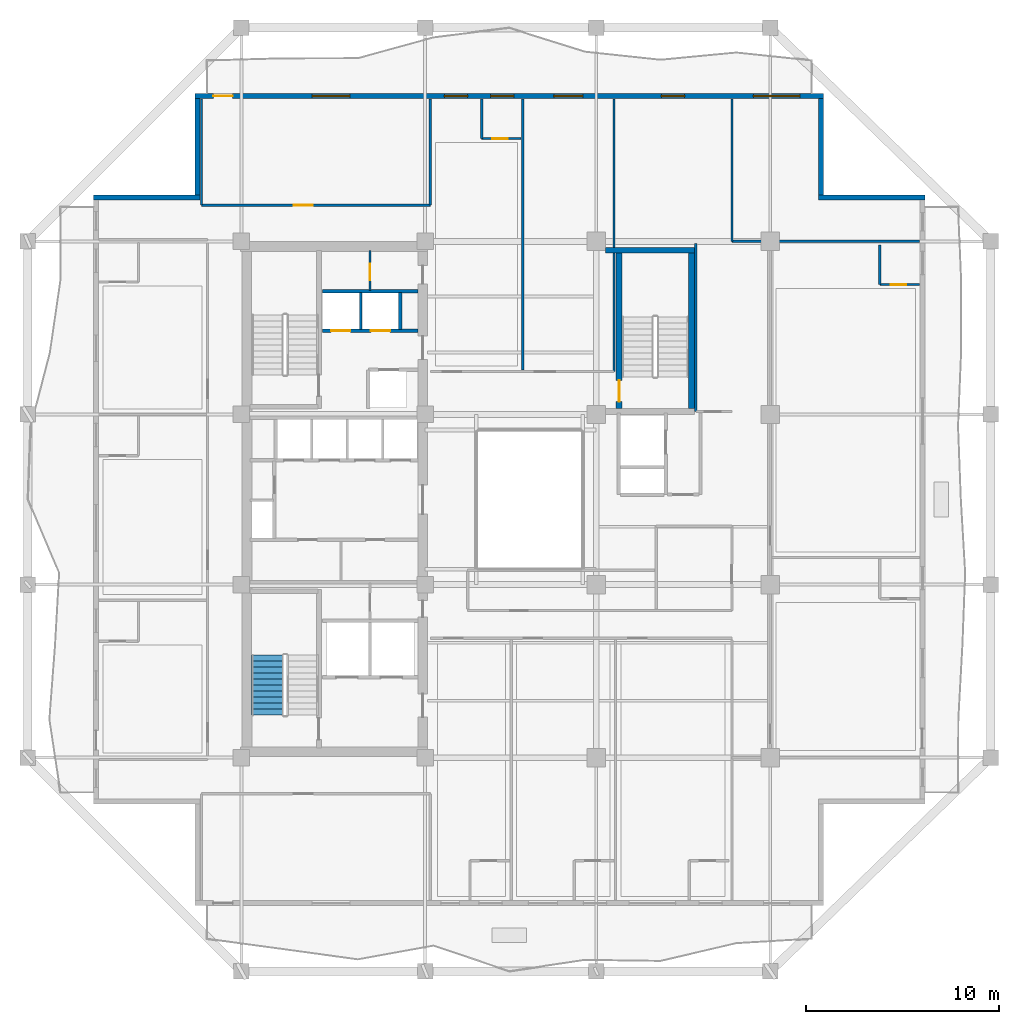
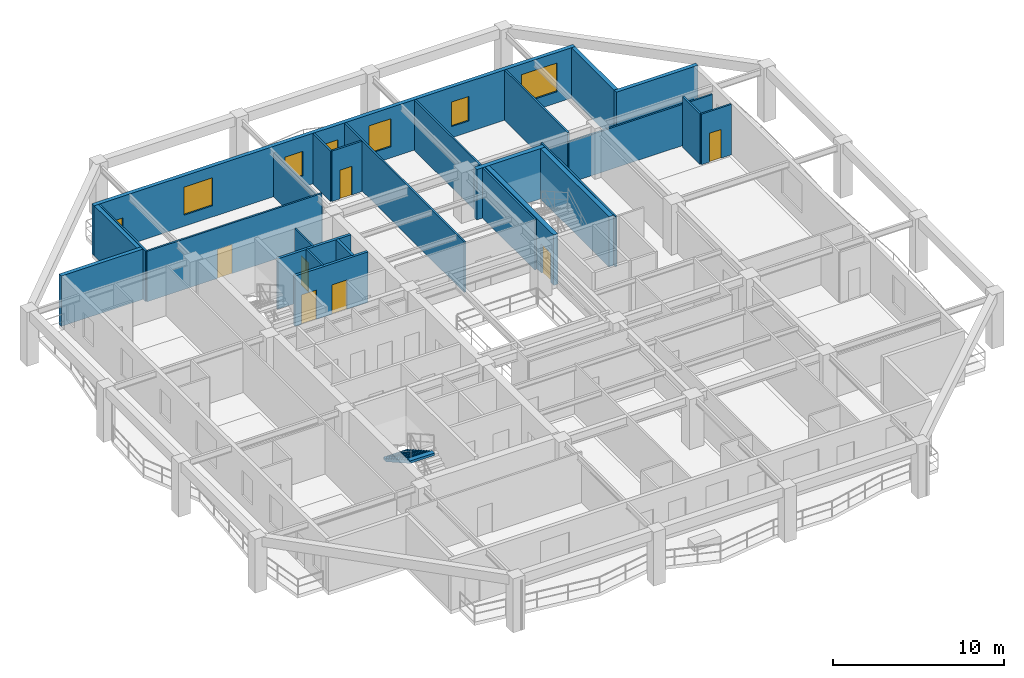
# One storey, part 6 of 13: 25 walls, 8 doors, 6 windows, 1 stair flight, 14 openings, 1 element without a shape of its own.
"""IFC4 building model written with IfcOpenShell, lengths in metres."""

from ifc_helpers import new_model, si_unit, direction, frame, frame_2d, origin, place, context, subcontext, project, spatial, polyline, rectangle, outline, extrude, material, layer, layer_set, type_object, element, fill, aggregate, save


model = new_model("IFC4")

# Units and contexts
model_context = context("Model", 3, precision=1e-05, world=origin(), true_north=direction((0.0, 1.0)))
body_context = subcontext(model_context, "Body", "Model", "MODEL_VIEW")
ifc_project = project(units=[si_unit("LENGTHUNIT", "METRE"), si_unit("AREAUNIT", "SQUARE_METRE"), si_unit("VOLUMEUNIT", "CUBIC_METRE"), si_unit("PLANEANGLEUNIT", "RADIAN"), si_unit("MASSUNIT", "GRAM", prefix="KILO")], contexts=[model_context])

# Site, building, storey
site_placement = place(None, origin())
site = spatial("IfcSite", under=ifc_project, at=site_placement, CompositionType="ELEMENT")
building_placement = place(site_placement, origin())
building = spatial("IfcBuilding", under=site, at=building_placement, Name="Kundavana Baori Tower", CompositionType="ELEMENT")
storey_placement = place(building_placement, frame((0.0, 0.0, 177.14990234375)))
storey = spatial("IfcBuildingStorey", under=building, at=storey_placement, Name="L43", CompositionType="ELEMENT", Elevation=177.14990234375)

# Walls
ifc_material_1 = material(Name="Kiln-Fired Terracotta Brick-Slip Masonry on Concrete C40/50", Category="masonry")
ifc_layer_1 = layer(ifc_material_1, 0.260009765625, Name="WL-EXT-BRK-260")
ifc_layer_set_1 = layer_set([ifc_layer_1], Name="Kiln-Fired Terracotta Brick-Slip Masonry on Concrete C40/50")
wall_type_1 = type_object("IfcWallType", Name="WL-EXT-BRK-260", PredefinedType="SOLIDWALL", material=ifc_layer_set_1)
wall_1_placement = place(storey_placement, frame((50.800048828125, 44.219970703125, 0.0), z_axis=(0.0, 0.0, 1.0), x_axis=(-1.0, 0.0, 0.0)))
element("IfcWall", 1, at=wall_1_placement, inside=storey, type_object=wall_type_1, Name="L43 Exterior Insulated Facade Wall 05", PredefinedType="SOLIDWALL", context=body_context, shape_type="SweptSolid", body=[
    extrude(rectangle(XDim=5.510009765625, YDim=0.260009765625, at=frame_2d((2.7548828125, 0.0))), origin(), (0.0, 0.0, 1.0), 3.60009765625),
])
wall_2_placement = place(storey_placement, frame((45.419921875, 44.35009765625, 0.0), z_axis=(0.0, 0.0, 1.0), x_axis=(0.0, 1.0, 0.0)))
element("IfcWall", 2, at=wall_2_placement, inside=storey, type_object=wall_type_1, Name="L43 Exterior Insulated Facade Wall 06", PredefinedType="SOLIDWALL", context=body_context, shape_type="SweptSolid", body=[
    extrude(rectangle(XDim=4.989990234375, YDim=0.260009765625, at=frame_2d((2.4951171875, 0.0))), origin(), (0.0, 0.0, 1.0), 3.60009765625),
])

# Wall, openings, door, windows
wall_3_placement = place(storey_placement, frame((45.550048828125, 49.469970703125, 0.0), z_axis=(0.0, 0.0, 1.0), x_axis=(-1.0, 0.0, 0.0)))
wall_3 = element("IfcWall", 3, at=wall_3_placement, inside=storey, type_object=wall_type_1, Name="L43 Exterior Insulated Facade Wall 07", PredefinedType="SOLIDWALL", context=body_context, shape_type="SweptSolid", body=[
    extrude(rectangle(XDim=32.5, YDim=0.260009765625, at=frame_2d((16.25, 0.0))), origin(), (0.0, 0.0, 1.0), 3.60009765625),
])
opening_1_placement = place(wall_3_placement, frame((30.550048828125, 0.0, 0.0)))
opening_1 = element("IfcOpeningElement", 4, at=opening_1_placement, cuts=wall_3, Name="Opening BD-1", PredefinedType="OPENING", context=body_context, shape_type="SweptSolid", body=[
    extrude(rectangle(XDim=1.0, YDim=2.050048828125, at=frame_2d((0.5, 1.02490234375))), frame((0.0, 0.14013671875, 0.0), z_axis=(0.0, -1.0, 0.0), x_axis=(1.0, 0.0, 0.0)), (0.0, 0.0, 1.0), 0.280029296875),
])
opening_2_placement = place(wall_3_placement, frame((24.4951171875, 0.0, 0.800048828125)))
opening_2 = element("IfcOpeningElement", 5, at=opening_2_placement, cuts=wall_3, Name="Opening W-09", PredefinedType="OPENING", context=body_context, shape_type="SweptSolid", body=[
    extrude(rectangle(XDim=1.949951171875, YDim=2.0, at=frame_2d((0.97509765625, 1.0))), frame((0.0, 0.14013671875, 0.0), z_axis=(0.0, -1.0, 0.0), x_axis=(1.0, 0.0, 0.0)), (0.0, 0.0, 1.0), 0.280029296875),
])
opening_3_placement = place(wall_3_placement, frame((18.405029296875, 0.0, 0.800048828125)))
opening_3 = element("IfcOpeningElement", 6, at=opening_3_placement, cuts=wall_3, Name="Opening W-03", PredefinedType="OPENING", context=body_context, shape_type="SweptSolid", body=[
    extrude(rectangle(XDim=1.199951171875, YDim=1.75, at=frame_2d((0.60009765625, 0.875))), frame((0.0, 0.14013671875, 0.0), z_axis=(0.0, -1.0, 0.0), x_axis=(1.0, 0.0, 0.0)), (0.0, 0.0, 1.0), 0.280029296875),
])
opening_4_placement = place(wall_3_placement, frame((16.014892578125, 0.0, 0.800048828125)))
opening_4 = element("IfcOpeningElement", 7, at=opening_4_placement, cuts=wall_3, Name="Opening W-03", PredefinedType="OPENING", context=body_context, shape_type="SweptSolid", body=[
    extrude(rectangle(XDim=1.199951171875, YDim=1.75, at=frame_2d((0.60009765625, 0.875))), frame((0.0, 0.14013671875, 0.0), z_axis=(0.0, -1.0, 0.0), x_axis=(1.0, 0.0, 0.0)), (0.0, 0.0, 1.0), 0.280029296875),
])
opening_5_placement = place(wall_3_placement, frame((12.43994140625, 0.0, 0.800048828125)))
opening_5 = element("IfcOpeningElement", 8, at=opening_5_placement, cuts=wall_3, Name="Opening W-02", PredefinedType="OPENING", context=body_context, shape_type="SweptSolid", body=[
    extrude(rectangle(XDim=1.5, YDim=2.0, at=frame_2d((0.75, 1.0))), frame((0.0, 0.14013671875, 0.0), z_axis=(0.0, -1.0, 0.0), x_axis=(1.0, 0.0, 0.0)), (0.0, 0.0, 1.0), 0.280029296875),
])
opening_6_placement = place(wall_3_placement, frame((7.179931640625, 0.0, 0.800048828125)))
opening_6 = element("IfcOpeningElement", 9, at=opening_6_placement, cuts=wall_3, Name="Opening W-03", PredefinedType="OPENING", context=body_context, shape_type="SweptSolid", body=[
    extrude(rectangle(XDim=1.199951171875, YDim=1.75, at=frame_2d((0.60009765625, 0.875))), frame((0.0, 0.14013671875, 0.0), z_axis=(0.0, -1.0, 0.0), x_axis=(1.0, 0.0, 0.0)), (0.0, 0.0, 1.0), 0.280029296875),
])
opening_7_placement = place(wall_3_placement, frame((1.219970703125, 0.0, 0.800048828125)))
opening_7 = element("IfcOpeningElement", 10, at=opening_7_placement, cuts=wall_3, Name="Opening W-04", PredefinedType="OPENING", context=body_context, shape_type="SweptSolid", body=[
    extrude(rectangle(XDim=2.39990234375, YDim=2.050048828125, at=frame_2d((1.199951171875, 1.02490234375))), frame((0.0, 0.14013671875, 0.0), z_axis=(0.0, -1.0, 0.0), x_axis=(1.0, 0.0, 0.0)), (0.0, 0.0, 1.0), 0.280029296875),
])
ifc_material_2 = material(Name="Architectural Patinated Bronze Metalwork")
door_type_1 = type_object("IfcDoorType", Name="DR-EXT-LOG-1000", OperationType="NOTDEFINED", PredefinedType="DOOR", material=ifc_material_2)
door_1_placement = place(opening_1_placement, frame((1.0, 0.0, 0.0), z_axis=(0.0, 0.0, 1.0), x_axis=(-1.0, 0.0, 0.0)))
door_1 = element("IfcDoor", 11, at=door_1_placement, inside=storey, type_object=door_type_1, Name="L43 Loggia Balcony Access Door N", OperationType="SINGLE_SWING_LEFT", OverallHeight=2.050048828125, OverallWidth=1.0, PredefinedType="DOOR", context=body_context, shape_type="SweptSolid", body=[
    extrude(rectangle(XDim=1.0, YDim=2.050048828125, at=frame_2d((0.5, 1.02490234375))), frame((0.0, 0.02490234375, 0.0), z_axis=(0.0, -1.0, 0.0), x_axis=(1.0, 0.0, 0.0)), (0.0, 0.0, 1.0), 0.050048828125),
])
fill(opening_1, door_1)
ifc_material_3 = material(Name="Double-Glazed Solar-Control Low-E Insulated Glass", Category="glass")
window_type_1 = type_object("IfcWindowType", Name="WIN-LOG-1200x1750", PartitioningType="SINGLE_PANEL", PredefinedType="WINDOW", material=ifc_material_3)
window_1_placement = place(opening_3_placement, origin())
window_1 = element("IfcWindow", 12, at=window_1_placement, inside=storey, type_object=window_type_1, Name="L43 Recessed Loggia Window N-2", OverallHeight=1.75, OverallWidth=1.199951171875, PartitioningType="SINGLE_PANEL", PredefinedType="WINDOW", context=body_context, shape_type="SweptSolid", body=[
    extrude(rectangle(XDim=1.199951171875, YDim=1.75, at=frame_2d((0.60009765625, 0.875))), frame((0.0, 0.030029296875, 0.0), z_axis=(0.0, -1.0, 0.0), x_axis=(1.0, 0.0, 0.0)), (0.0, 0.0, 1.0), 0.06005859375),
])
fill(opening_3, window_1)
window_2_placement = place(opening_4_placement, origin())
window_2 = element("IfcWindow", 13, at=window_2_placement, inside=storey, type_object=window_type_1, Name="L43 Recessed Loggia Window N-3", OverallHeight=1.75, OverallWidth=1.199951171875, PartitioningType="SINGLE_PANEL", PredefinedType="WINDOW", context=body_context, shape_type="SweptSolid", body=[
    extrude(rectangle(XDim=1.199951171875, YDim=1.75, at=frame_2d((0.60009765625, 0.875))), frame((0.0, 0.030029296875, 0.0), z_axis=(0.0, -1.0, 0.0), x_axis=(1.0, 0.0, 0.0)), (0.0, 0.0, 1.0), 0.06005859375),
])
fill(opening_4, window_2)
window_3_placement = place(opening_6_placement, origin())
window_3 = element("IfcWindow", 14, at=window_3_placement, inside=storey, type_object=window_type_1, Name="L43 Recessed Loggia Window N-5", OverallHeight=1.75, OverallWidth=1.199951171875, PartitioningType="SINGLE_PANEL", PredefinedType="WINDOW", context=body_context, shape_type="SweptSolid", body=[
    extrude(rectangle(XDim=1.199951171875, YDim=1.75, at=frame_2d((0.60009765625, 0.875))), frame((0.0, 0.030029296875, 0.0), z_axis=(0.0, -1.0, 0.0), x_axis=(1.0, 0.0, 0.0)), (0.0, 0.0, 1.0), 0.06005859375),
])
fill(opening_6, window_3)
ifc_material_4 = material(Name="Double-Glazed Solar-Control Low-E Insulated Glass", Category="glass")
window_type_2 = type_object("IfcWindowType", Name="WIN-LOG-1500x2000", PartitioningType="SINGLE_PANEL", PredefinedType="WINDOW", material=ifc_material_4)
window_4_placement = place(opening_5_placement, origin())
window_4 = element("IfcWindow", 15, at=window_4_placement, inside=storey, type_object=window_type_2, Name="L43 Recessed Loggia Window N-4", OverallHeight=2.0, OverallWidth=1.5, PartitioningType="SINGLE_PANEL", PredefinedType="WINDOW", context=body_context, shape_type="SweptSolid", body=[
    extrude(rectangle(XDim=1.5, YDim=2.0, at=frame_2d((0.75, 1.0))), frame((0.0, 0.030029296875, 0.0), z_axis=(0.0, -1.0, 0.0), x_axis=(1.0, 0.0, 0.0)), (0.0, 0.0, 1.0), 0.06005859375),
])
fill(opening_5, window_4)
ifc_material_5 = material(Name="Double-Glazed Solar-Control Low-E Insulated Glass", Category="glass")
window_type_3 = type_object("IfcWindowType", Name="WIN-LOG-1950x2000", PartitioningType="SINGLE_PANEL", PredefinedType="WINDOW", material=ifc_material_5)
window_5_placement = place(opening_2_placement, origin())
window_5 = element("IfcWindow", 16, at=window_5_placement, inside=storey, type_object=window_type_3, Name="L43 Recessed Loggia Window N-1", OverallHeight=2.0, OverallWidth=1.949951171875, PartitioningType="SINGLE_PANEL", PredefinedType="WINDOW", context=body_context, shape_type="SweptSolid", body=[
    extrude(rectangle(XDim=1.949951171875, YDim=2.0, at=frame_2d((0.97509765625, 1.0))), frame((0.0, 0.030029296875, 0.0), z_axis=(0.0, -1.0, 0.0), x_axis=(1.0, 0.0, 0.0)), (0.0, 0.0, 1.0), 0.06005859375),
])
fill(opening_2, window_5)
ifc_material_6 = material(Name="Double-Glazed Solar-Control Low-E Insulated Glass", Category="glass")
window_type_4 = type_object("IfcWindowType", Name="WIN-LOG-2400x2050", PartitioningType="SINGLE_PANEL", PredefinedType="WINDOW", material=ifc_material_6)
window_6_placement = place(opening_7_placement, origin())
window_6 = element("IfcWindow", 17, at=window_6_placement, inside=storey, type_object=window_type_4, Name="L43 Recessed Loggia Window N-6", OverallHeight=2.050048828125, OverallWidth=2.39990234375, PartitioningType="SINGLE_PANEL", PredefinedType="WINDOW", context=body_context, shape_type="SweptSolid", body=[
    extrude(rectangle(XDim=2.39990234375, YDim=2.050048828125, at=frame_2d((1.199951171875, 1.02490234375))), frame((0.0, 0.030029296875, 0.0), z_axis=(0.0, -1.0, 0.0), x_axis=(1.0, 0.0, 0.0)), (0.0, 0.0, 1.0), 0.06005859375),
])
fill(opening_7, window_6)

# Walls
wall_4_placement = place(storey_placement, frame((13.179931640625, 49.340087890625, 0.0), z_axis=(0.0, 0.0, 1.0), x_axis=(0.0, -1.0, 0.0)))
element("IfcWall", 18, at=wall_4_placement, inside=storey, type_object=wall_type_1, Name="L43 Exterior Insulated Facade Wall 08", PredefinedType="SOLIDWALL", context=body_context, shape_type="SweptSolid", body=[
    extrude(rectangle(XDim=4.989990234375, YDim=0.260009765625, at=frame_2d((2.4951171875, 0.0))), origin(), (0.0, 0.0, 1.0), 3.60009765625),
])
wall_5_placement = place(storey_placement, frame((13.31005859375, 44.219970703125, 0.0), z_axis=(0.0, 0.0, 1.0), x_axis=(-1.0, 0.0, 0.0)))
element("IfcWall", 19, at=wall_5_placement, inside=storey, type_object=wall_type_1, Name="L43 Exterior Insulated Facade Wall 09", PredefinedType="SOLIDWALL", context=body_context, shape_type="SweptSolid", body=[
    extrude(rectangle(XDim=5.510009765625, YDim=0.260009765625, at=frame_2d((2.7548828125, 0.0))), origin(), (0.0, 0.0, 1.0), 3.60009765625),
])
ifc_material_7 = material(Name="Acoustic Gypsum Plasterboard on Galvanised Steel Studs", Category="steel")
ifc_layer_2 = layer(ifc_material_7, 0.1201171875, Name="WL-PART-120")
ifc_layer_set_2 = layer_set([ifc_layer_2], Name="Acoustic Gypsum Plasterboard on Galvanised Steel Studs")
wall_type_2 = type_object("IfcWallType", Name="WL-PART-120", PredefinedType="PARTITIONING", material=ifc_layer_set_2)
wall_6_placement = place(storey_placement, frame((21.6201171875, 37.39990234375, 0.0), z_axis=(0.0, 0.0, 1.0), x_axis=(0.0, 1.0, 0.0)))
element("IfcWall", 20, at=wall_6_placement, inside=storey, type_object=wall_type_2, Name="WL-L43-HR-DIV1", PredefinedType="PARTITIONING", context=body_context, shape_type="SweptSolid", body=[
    extrude(rectangle(XDim=1.900146484375, YDim=0.1201171875, at=frame_2d((0.9501953125, 0.0))), origin(), (0.0, 0.0, 1.0), 3.60009765625),
])

# Wall, opening, door
wall_7_placement = place(storey_placement, frame((22.10009765625, 39.39990234375, 0.0), z_axis=(0.0, 0.0, 1.0), x_axis=(0.0, 1.0, 0.0)))
wall_7 = element("IfcWall", 21, at=wall_7_placement, inside=storey, type_object=wall_type_2, Name="WL-L43-CSRV-D1", PredefinedType="PARTITIONING", context=body_context, shape_type="SweptSolid", body=[
    extrude(rectangle(XDim=2.080078125, YDim=0.1201171875, at=frame_2d((1.0400390625, 0.0))), origin(), (0.0, 0.0, 1.0), 3.60009765625),
])
opening_8_placement = place(wall_7_placement, frame((0.550048828125, 0.0, 0.0)))
opening_8 = element("IfcOpeningElement", 22, at=opening_8_placement, cuts=wall_7, Name="Opening FD-085", PredefinedType="OPENING", context=body_context, shape_type="SweptSolid", body=[
    extrude(rectangle(XDim=0.85009765625, YDim=2.06005859375, at=frame_2d((0.425048828125, 1.030029296875))), frame((0.0, 0.070068359375, 0.0), z_axis=(0.0, -1.0, 0.0), x_axis=(1.0, 0.0, 0.0)), (0.0, 0.0, 1.0), 0.14013671875),
])
ifc_material_8 = material(Name="Galvanised Steel Fire-Rated Door Leaf", Category="steel")
door_type_2 = type_object("IfcDoorType", Name="DR-FD60-850", OperationType="NOTDEFINED", PredefinedType="DOOR", material=ifc_material_8)
door_2_placement = place(opening_8_placement, origin())
door_2 = element("IfcDoor", 23, at=door_2_placement, inside=storey, type_object=door_type_2, Name="DR-L43-CSRV1", OperationType="SINGLE_SWING_LEFT", OverallHeight=2.06005859375, OverallWidth=0.85009765625, PredefinedType="DOOR", context=body_context, shape_type="SweptSolid", body=[
    extrude(rectangle(XDim=0.85009765625, YDim=2.06005859375, at=frame_2d((0.425048828125, 1.030029296875))), frame((0.0, 0.02490234375, 0.0), z_axis=(0.0, -1.0, 0.0), x_axis=(1.0, 0.0, 0.0)), (0.0, 0.0, 1.0), 0.050048828125),
])
fill(opening_8, door_2)

# Wall
wall_8_placement = place(storey_placement, frame((40.820068359375, 41.949951171875, 0.0), z_axis=(0.0, 0.0, 1.0), x_axis=(1.0, 0.0, 0.0)))
element("IfcWall", 24, at=wall_8_placement, inside=storey, type_object=wall_type_2, Name="WL-L43-HEN", PredefinedType="PARTITIONING", context=body_context, shape_type="SweptSolid", body=[
    extrude(rectangle(XDim=9.699951171875, YDim=0.1201171875, at=frame_2d((4.85009765625, 0.0))), origin(), (0.0, 0.0, 1.0), 2.9501953125),
])

# Wall, opening, door
wall_9_placement = place(storey_placement, frame((13.389892578125, 43.820068359375, 0.0), z_axis=(0.0, 0.0, 1.0), x_axis=(1.0, 0.0, 0.0)))
wall_9 = element("IfcWall", 25, at=wall_9_placement, inside=storey, type_object=wall_type_2, Name="WL-L43-HNC", PredefinedType="PARTITIONING", context=body_context, shape_type="SweptSolid", body=[
    extrude(rectangle(XDim=11.830078125, YDim=0.1201171875, at=frame_2d((5.9150390625, 0.0))), origin(), (0.0, 0.0, 1.0), 3.60009765625),
])
opening_9_placement = place(wall_9_placement, frame((4.760009765625, 0.0, 0.0)))
opening_9 = element("IfcOpeningElement", 26, at=opening_9_placement, cuts=wall_9, Name="Opening ID-100", PredefinedType="OPENING", context=body_context, shape_type="SweptSolid", body=[
    extrude(rectangle(XDim=1.0, YDim=2.080078125, at=frame_2d((0.5, 1.0400390625))), frame((0.0, 0.070068359375, 0.0), z_axis=(0.0, -1.0, 0.0), x_axis=(1.0, 0.0, 0.0)), (0.0, 0.0, 1.0), 0.14013671875),
])
ifc_material_9 = material(Name="Engineered Teak Solid-Core Timber Veneer", Category="wood")
door_type_3 = type_object("IfcDoorType", Name="DR-INT-1000", OperationType="NOTDEFINED", PredefinedType="DOOR", material=ifc_material_9)
door_3_placement = place(opening_9_placement, origin())
door_3 = element("IfcDoor", 27, at=door_3_placement, inside=storey, type_object=door_type_3, Name="DR-L43-HMNW", OperationType="SINGLE_SWING_RIGHT", OverallHeight=2.080078125, OverallWidth=1.0, PredefinedType="DOOR", context=body_context, shape_type="SweptSolid", body=[
    extrude(rectangle(XDim=1.0, YDim=2.080078125, at=frame_2d((0.5, 1.0400390625))), frame((0.0, 0.02490234375, 0.0), z_axis=(0.0, -1.0, 0.0), x_axis=(1.0, 0.0, 0.0)), (0.0, 0.0, 1.0), 0.050048828125),
])
fill(opening_9, door_3)

# Walls
wall_10_placement = place(storey_placement, frame((13.389892578125, 43.820068359375, 0.0), z_axis=(0.0, 0.0, 1.0), x_axis=(0.0, 1.0, 0.0)))
element("IfcWall", 28, at=wall_10_placement, inside=storey, type_object=wall_type_2, Name="WL-L43-HNCW", PredefinedType="PARTITIONING", context=body_context, shape_type="SweptSolid", body=[
    extrude(rectangle(XDim=5.5, YDim=0.1201171875, at=frame_2d((2.75, 0.0))), origin(), (0.0, 0.0, 1.0), 3.60009765625),
])
wall_11_placement = place(storey_placement, frame((25.219970703125, 43.820068359375, 0.0), z_axis=(0.0, 0.0, 1.0), x_axis=(0.0, 1.0, 0.0)))
element("IfcWall", 29, at=wall_11_placement, inside=storey, type_object=wall_type_2, Name="WL-L43-HNCE", PredefinedType="PARTITIONING", context=body_context, shape_type="SweptSolid", body=[
    extrude(rectangle(XDim=5.5, YDim=0.1201171875, at=frame_2d((2.75, 0.0))), origin(), (0.0, 0.0, 1.0), 3.150146484375),
])
wall_12_placement = place(storey_placement, frame((34.719970703125, 35.219970703125, 0.0), z_axis=(0.0, 0.0, 1.0), x_axis=(0.0, 1.0, 0.0)))
element("IfcWall", 30, at=wall_12_placement, inside=storey, type_object=wall_type_2, Name="WL-L43-HNEND", PredefinedType="PARTITIONING", context=body_context, shape_type="SweptSolid", body=[
    extrude(rectangle(XDim=14.10009765625, YDim=0.1201171875, at=frame_2d((7.050048828125, 0.0))), origin(), (0.0, 0.0, 1.0), 3.60009765625),
])
wall_13_placement = place(storey_placement, frame((30.0, 35.300048828125, 0.0), z_axis=(0.0, 0.0, 1.0), x_axis=(0.0, 1.0, 0.0)))
element("IfcWall", 31, at=wall_13_placement, inside=storey, type_object=wall_type_2, Name="WL-L43-HND1", PredefinedType="PARTITIONING", context=body_context, shape_type="SweptSolid", body=[
    extrude(rectangle(XDim=14.02001953125, YDim=0.1201171875, at=frame_2d((7.010009765625, 0.0))), origin(), (0.0, 0.0, 1.0), 3.60009765625),
])
wall_14_placement = place(storey_placement, frame((38.949951171875, 33.14990234375, 0.0), z_axis=(0.0, 0.0, 1.0), x_axis=(0.0, 1.0, 0.0)))
element("IfcWall", 32, at=wall_14_placement, inside=storey, type_object=wall_type_2, Name="WL-L43-HNEW", PredefinedType="PARTITIONING", context=body_context, shape_type="SweptSolid", body=[
    extrude(rectangle(XDim=8.7001953125, YDim=0.1201171875, at=frame_2d((4.35009765625, 0.0))), origin(), (0.0, 0.0, 1.0), 3.60009765625),
])
wall_15_placement = place(storey_placement, frame((40.820068359375, 41.949951171875, 0.0), z_axis=(0.0, 0.0, 1.0), x_axis=(0.0, 1.0, 0.0)))
element("IfcWall", 33, at=wall_15_placement, inside=storey, type_object=wall_type_2, Name="WL-L43-HNEE", PredefinedType="PARTITIONING", context=body_context, shape_type="SweptSolid", body=[
    extrude(rectangle(XDim=7.3701171875, YDim=0.1201171875, at=frame_2d((3.68505859375, 0.0))), origin(), (0.0, 0.0, 1.0), 3.60009765625),
])

# Wall, openings, doors
ifc_material_10 = material(Name="Autoclaved Aerated Concrete Blockwork Masonry", Category="masonry")
ifc_layer_3 = layer(ifc_material_10, 0.179931640625, Name="WL-SHAFT-180")
ifc_layer_set_3 = layer_set([ifc_layer_3], Name="Autoclaved Aerated Concrete Blockwork Masonry")
wall_type_3 = type_object("IfcWallType", Name="WL-SHAFT-180", PredefinedType="SOLIDWALL", material=ifc_layer_set_3)
wall_16_placement = place(storey_placement, frame((19.639892578125, 37.340087890625, 0.0), z_axis=(0.0, 0.0, 1.0), x_axis=(1.0, 0.0, 0.0)))
wall_16 = element("IfcWall", 34, at=wall_16_placement, inside=storey, type_object=wall_type_3, Name="WL-L43-HRLOB-N", PredefinedType="SOLIDWALL", context=body_context, shape_type="SweptSolid", body=[
    extrude(rectangle(XDim=4.940185546875, YDim=0.179931640625, at=frame_2d((2.47021484375, 0.0))), origin(), (0.0, 0.0, 1.0), 3.60009765625),
])
opening_10_placement = place(wall_16_placement, frame((0.449951171875, 0.0, 0.0)))
opening_10 = element("IfcOpeningElement", 35, at=opening_10_placement, cuts=wall_16, Name="Opening LD-100", PredefinedType="OPENING", context=body_context, shape_type="SweptSolid", body=[
    extrude(rectangle(XDim=1.0, YDim=2.10009765625, at=frame_2d((0.5, 1.050048828125))), frame((0.0, 0.10009765625, 0.0), z_axis=(0.0, -1.0, 0.0), x_axis=(1.0, 0.0, 0.0)), (0.0, 0.0, 1.0), 0.199951171875),
])
opening_11_placement = place(wall_16_placement, frame((2.5, 0.0, 0.0)))
opening_11 = element("IfcOpeningElement", 36, at=opening_11_placement, cuts=wall_16, Name="Opening LD-100", PredefinedType="OPENING", context=body_context, shape_type="SweptSolid", body=[
    extrude(rectangle(XDim=1.0, YDim=2.10009765625, at=frame_2d((0.5, 1.050048828125))), frame((0.0, 0.10009765625, 0.0), z_axis=(0.0, -1.0, 0.0), x_axis=(1.0, 0.0, 0.0)), (0.0, 0.0, 1.0), 0.199951171875),
])
ifc_material_11 = material(Name="Galvanised Steel Fire-Rated Door Leaf", Category="steel")
door_type_4 = type_object("IfcDoorType", Name="DR-SLIDE-LD1000", OperationType="NOTDEFINED", PredefinedType="DOOR", material=ifc_material_11)
door_4_placement = place(opening_10_placement, frame((1.0, 0.0, 0.0), z_axis=(0.0, 0.0, 1.0), x_axis=(-1.0, 0.0, 0.0)))
door_4 = element("IfcDoor", 37, at=door_4_placement, inside=storey, type_object=door_type_4, Name="DR-L43-LD-LP09", OperationType="DOUBLE_DOOR_SLIDING", OverallHeight=2.10009765625, OverallWidth=1.0, PredefinedType="DOOR", context=body_context, shape_type="SweptSolid", body=[
    extrude(rectangle(XDim=1.0, YDim=2.10009765625, at=frame_2d((0.5, 1.050048828125))), frame((0.0, 0.02490234375, 0.0), z_axis=(0.0, -1.0, 0.0), x_axis=(1.0, 0.0, 0.0)), (0.0, 0.0, 1.0), 0.050048828125),
])
fill(opening_10, door_4)
door_5_placement = place(opening_11_placement, frame((1.0, 0.0, 0.0), z_axis=(0.0, 0.0, 1.0), x_axis=(-1.0, 0.0, 0.0)))
door_5 = element("IfcDoor", 38, at=door_5_placement, inside=storey, type_object=door_type_4, Name="DR-L43-LD-LP10", OperationType="DOUBLE_DOOR_SLIDING", OverallHeight=2.10009765625, OverallWidth=1.0, PredefinedType="DOOR", context=body_context, shape_type="SweptSolid", body=[
    extrude(rectangle(XDim=1.0, YDim=2.10009765625, at=frame_2d((0.5, 1.050048828125))), frame((0.0, 0.02490234375, 0.0), z_axis=(0.0, -1.0, 0.0), x_axis=(1.0, 0.0, 0.0)), (0.0, 0.0, 1.0), 0.050048828125),
])
fill(opening_11, door_5)

# Walls
wall_17_placement = place(storey_placement, frame((19.639892578125, 39.360107421875, 0.0), z_axis=(0.0, 0.0, 1.0), x_axis=(1.0, 0.0, 0.0)))
element("IfcWall", 39, at=wall_17_placement, inside=storey, type_object=wall_type_3, Name="WL-L43-HRLOB-TOP", PredefinedType="SOLIDWALL", context=body_context, shape_type="SweptSolid", body=[
    extrude(rectangle(XDim=4.940185546875, YDim=0.179931640625, at=frame_2d((2.47021484375, 0.0))), origin(), (0.0, 0.0, 1.0), 3.60009765625),
])
wall_18_placement = place(storey_placement, frame((23.659912109375, 37.39990234375, 0.0), z_axis=(0.0, 0.0, 1.0), x_axis=(0.0, 1.0, 0.0)))
element("IfcWall", 40, at=wall_18_placement, inside=storey, type_object=wall_type_3, Name="WL-L43-HR-DIV2", PredefinedType="SOLIDWALL", context=body_context, shape_type="SweptSolid", body=[
    extrude(rectangle(XDim=1.900146484375, YDim=0.179931640625, at=frame_2d((0.9501953125, 0.0))), origin(), (0.0, 0.0, 1.0), 3.60009765625),
])
ifc_material_12 = material(Name="Concrete C50/60", Category="concrete")
ifc_layer_4 = layer(ifc_material_12, 0.300048828125, Name="WL-ST3-300")
ifc_layer_set_4 = layer_set([ifc_layer_4], Name="Concrete C50/60")
wall_type_4 = type_object("IfcWallType", Name="WL-ST3-300", PredefinedType="SHEAR", material=ifc_layer_set_4)
wall_19_placement = place(storey_placement, frame((34.27490234375, 41.489990234375, 0.0), z_axis=(0.0, 0.0, 1.0), x_axis=(1.0, 0.0, 0.0)))
element("IfcWall", 41, at=wall_19_placement, inside=storey, type_object=wall_type_4, Name="L43 Stair ST3 North Shear Wall", PredefinedType="SHEAR", context=body_context, shape_type="SweptSolid", body=[
    extrude(rectangle(XDim=4.59521484375, YDim=0.300048828125, at=frame_2d((2.297607421875, 0.0))), origin(), (0.0, 0.0, 1.0), 3.60009765625),
])

# Wall, opening, door
wall_20_placement = place(storey_placement, frame((34.97998046875, 33.31005859375, 0.0), z_axis=(0.0, 0.0, 1.0), x_axis=(0.0, 1.0, 0.0)))
wall_20 = element("IfcWall", 42, at=wall_20_placement, inside=storey, type_object=wall_type_4, Name="L43 Stair ST3 West Shear Wall", PredefinedType="SHEAR", context=body_context, shape_type="SweptSolid", body=[
    extrude(rectangle(XDim=8.030029296875, YDim=0.300048828125, at=frame_2d((4.01513671875, 0.0))), origin(), (0.0, 0.0, 1.0), 3.60009765625),
])
opening_12_placement = place(wall_20_placement, frame((0.35009765625, 0.0, 0.0)))
opening_12 = element("IfcOpeningElement", 43, at=opening_12_placement, cuts=wall_20, Name="Opening FD-110", PredefinedType="OPENING", context=body_context, shape_type="SweptSolid", body=[
    extrude(rectangle(XDim=1.10009765625, YDim=2.10009765625, at=frame_2d((0.550048828125, 1.050048828125))), frame((0.0, 0.16015625, 0.0), z_axis=(0.0, -1.0, 0.0), x_axis=(1.0, 0.0, 0.0)), (0.0, 0.0, 1.0), 0.320068359375),
])
ifc_material_13 = material(Name="Galvanised Steel Fire-Rated Door Leaf", Category="steel")
door_type_5 = type_object("IfcDoorType", Name="DR-FD120-1100", OperationType="NOTDEFINED", PredefinedType="DOOR", material=ifc_material_13)
door_6_placement = place(opening_12_placement, origin())
door_6 = element("IfcDoor", 44, at=door_6_placement, inside=storey, type_object=door_type_5, Name="DR-L43-ST3-W", OperationType="SINGLE_SWING_LEFT", OverallHeight=2.10009765625, OverallWidth=1.10009765625, PredefinedType="DOOR", context=body_context, shape_type="SweptSolid", body=[
    extrude(rectangle(XDim=1.10009765625, YDim=2.10009765625, at=frame_2d((0.550048828125, 1.050048828125))), frame((0.0, 0.02490234375, 0.0), z_axis=(0.0, -1.0, 0.0), x_axis=(1.0, 0.0, 0.0)), (0.0, 0.0, 1.0), 0.050048828125),
])
fill(opening_12, door_6)

# Walls
wall_21_placement = place(storey_placement, frame((38.719970703125, 33.31005859375, 0.0), z_axis=(0.0, 0.0, 1.0), x_axis=(0.0, 1.0, 0.0)))
element("IfcWall", 45, at=wall_21_placement, inside=storey, type_object=wall_type_4, Name="L43 Stair ST3 East Shear Wall", PredefinedType="SHEAR", context=body_context, shape_type="SweptSolid", body=[
    extrude(rectangle(XDim=8.030029296875, YDim=0.300048828125, at=frame_2d((4.01513671875, 0.0))), origin(), (0.0, 0.0, 1.0), 3.60009765625),
])
ifc_material_14 = material(Name="Autoclaved Aerated Concrete Blockwork Masonry", Category="masonry")
ifc_layer_5 = layer(ifc_material_14, 0.125, Name="WL-WET-120")
ifc_layer_set_5 = layer_set([ifc_layer_5], Name="Autoclaved Aerated Concrete Blockwork Masonry")
wall_type_5 = type_object("IfcWallType", Name="WL-WET-120", PredefinedType="PLUMBINGWALL", material=ifc_layer_set_5)
wall_22_placement = place(storey_placement, frame((48.469970703125, 39.719970703125, 0.0), z_axis=(0.0, 0.0, 1.0), x_axis=(0.0, 1.0, 0.0)))
element("IfcWall", 46, at=wall_22_placement, inside=storey, type_object=wall_type_5, Name="WL-L43-HK-E2-BW", PredefinedType="PLUMBINGWALL", context=body_context, shape_type="SweptSolid", body=[
    extrude(rectangle(XDim=2.050048828125, YDim=0.125, at=frame_2d((1.02490234375, 0.0))), origin(), (0.0, 0.0, 1.0), 3.60009765625),
])

# Wall, opening, door
wall_23_placement = place(storey_placement, frame((48.469970703125, 39.719970703125, 0.0), z_axis=(0.0, 0.0, 1.0), x_axis=(1.0, 0.0, 0.0)))
wall_23 = element("IfcWall", 47, at=wall_23_placement, inside=storey, type_object=wall_type_5, Name="WL-L43-HK-E2-BS", PredefinedType="PLUMBINGWALL", context=body_context, shape_type="SweptSolid", body=[
    extrude(rectangle(XDim=2.050048828125, YDim=0.125, at=frame_2d((1.02490234375, 0.0))), origin(), (0.0, 0.0, 1.0), 3.60009765625),
])
opening_13_placement = place(wall_23_placement, frame((0.550048828125, 0.0, 0.0)))
opening_13 = element("IfcOpeningElement", 48, at=opening_13_placement, cuts=wall_23, Name="Opening WD-080", PredefinedType="OPENING", context=body_context, shape_type="SweptSolid", body=[
    extrude(rectangle(XDim=0.800048828125, YDim=2.050048828125, at=frame_2d((0.39990234375, 1.02490234375))), frame((0.0, 0.072509765625, 0.0), z_axis=(0.0, -1.0, 0.0), x_axis=(1.0, 0.0, 0.0)), (0.0, 0.0, 1.0), 0.14501953125),
])
ifc_material_15 = material(Name="Engineered Teak Solid-Core Timber Veneer", Category="wood")
door_type_6 = type_object("IfcDoorType", Name="DR-WET-800", OperationType="NOTDEFINED", PredefinedType="DOOR", material=ifc_material_15)
door_7_placement = place(opening_13_placement, frame((0.800048828125, 0.0, 0.0), z_axis=(0.0, 0.0, 1.0), x_axis=(-1.0, 0.0, 0.0)))
door_7 = element("IfcDoor", 49, at=door_7_placement, inside=storey, type_object=door_type_6, Name="DR-L43-HK-E2-ENS", OperationType="SINGLE_SWING_LEFT", OverallHeight=2.050048828125, OverallWidth=0.800048828125, PredefinedType="DOOR", context=body_context, shape_type="SweptSolid", body=[
    extrude(rectangle(XDim=0.800048828125, YDim=2.050048828125, at=frame_2d((0.39990234375, 1.02490234375))), frame((0.0, 0.02490234375, 0.0), z_axis=(0.0, -1.0, 0.0), x_axis=(1.0, 0.0, 0.0)), (0.0, 0.0, 1.0), 0.050048828125),
])
fill(opening_13, door_7)

# Wall
wall_24_placement = place(storey_placement, frame((27.8701171875, 47.27001953125, 0.0), z_axis=(0.0, 0.0, 1.0), x_axis=(0.0, 1.0, 0.0)))
element("IfcWall", 50, at=wall_24_placement, inside=storey, type_object=wall_type_5, Name="WL-L43-HK-N1-BW", PredefinedType="PLUMBINGWALL", context=body_context, shape_type="SweptSolid", body=[
    extrude(rectangle(XDim=2.050048828125, YDim=0.125, at=frame_2d((1.02490234375, 0.0))), origin(), (0.0, 0.0, 1.0), 3.60009765625),
])

# Wall, opening, door
wall_25_placement = place(storey_placement, frame((27.8701171875, 47.27001953125, 0.0), z_axis=(0.0, 0.0, 1.0), x_axis=(1.0, 0.0, 0.0)))
wall_25 = element("IfcWall", 51, at=wall_25_placement, inside=storey, type_object=wall_type_5, Name="WL-L43-HK-N1-BS", PredefinedType="PLUMBINGWALL", context=body_context, shape_type="SweptSolid", body=[
    extrude(rectangle(XDim=2.0498046875, YDim=0.125, at=frame_2d((1.02490234375, 0.0))), origin(), (0.0, 0.0, 1.0), 3.60009765625),
])
opening_14_placement = place(wall_25_placement, frame((0.550048828125, 0.0, 0.0)))
opening_14 = element("IfcOpeningElement", 52, at=opening_14_placement, cuts=wall_25, Name="Opening WD-080", PredefinedType="OPENING", context=body_context, shape_type="SweptSolid", body=[
    extrude(rectangle(XDim=0.800048828125, YDim=2.050048828125, at=frame_2d((0.39990234375, 1.02490234375))), frame((0.0, 0.072509765625, 0.0), z_axis=(0.0, -1.0, 0.0), x_axis=(1.0, 0.0, 0.0)), (0.0, 0.0, 1.0), 0.14501953125),
])
door_8_placement = place(opening_14_placement, frame((0.800048828125, 0.0, 0.0), z_axis=(0.0, 0.0, 1.0), x_axis=(-1.0, 0.0, 0.0)))
door_8 = element("IfcDoor", 53, at=door_8_placement, inside=storey, type_object=door_type_6, Name="DR-L43-HK-N1-ENS", OperationType="SINGLE_SWING_LEFT", OverallHeight=2.050048828125, OverallWidth=0.800048828125, PredefinedType="DOOR", context=body_context, shape_type="SweptSolid", body=[
    extrude(rectangle(XDim=0.800048828125, YDim=2.050048828125, at=frame_2d((0.39990234375, 1.02490234375))), frame((0.0, 0.02490234375, 0.0), z_axis=(0.0, -1.0, 0.0), x_axis=(1.0, 0.0, 0.0)), (0.0, 0.0, 1.0), 0.050048828125),
])
fill(opening_14, door_8)

# Stair, stair flight
ifc_material_16 = material(Name="Concrete C40/50", Category="concrete")
stair_type = type_object("IfcStairType", Name="STR-DOG-1650", PredefinedType="HALF_TURN_STAIR", material=ifc_material_16)
stair_placement = place(storey_placement, origin())
stair = element("IfcStair", 54, at=stair_placement, inside=storey, type_object=stair_type, Name="L43 Protected Exit Stair ST1", PredefinedType="HALF_TURN_STAIR")
ifc_material_17 = material(Name="Concrete C40/50", Category="concrete")
stair_flight_type = type_object("IfcStairFlightType", Name="SFL-RC-1650", PredefinedType="STRAIGHT", material=ifc_material_17)
stair_flight_placement = place(storey_placement, frame((16.804931640625, 20.550048828125, 1.925048828125), z_axis=(0.0, 0.0, 1.0), x_axis=(0.0, -1.0, 0.0)))
stair_flight = element("IfcStairFlight", 55, at=stair_flight_placement, type_object=stair_flight_type, Name="ST1 flight 2", NumberOfRisers=11, NumberOfTreads=10, PredefinedType="STRAIGHT", RiserHeight=0.175, TreadLength=0.31, context=body_context, shape_type="SweptSolid", body=[
    extrude(outline(polyline([(0.0, 0.0), (0.0, 0.175048828125), (0.31005859375, 0.175048828125), (0.31005859375, 0.35009765625), (0.6201171875, 0.35009765625), (0.6201171875, 0.52490234375), (0.929931640625, 0.52490234375), (0.929931640625, 0.699951171875), (1.239990234375, 0.699951171875), (1.239990234375, 0.875), (1.550048828125, 0.875), (1.550048828125, 1.050048828125), (1.860107421875, 1.050048828125), (1.860107421875, 1.22509765625), (2.169921875, 1.22509765625), (2.169921875, 1.39990234375), (2.47998046875, 1.39990234375), (2.47998046875, 1.574951171875), (2.7900390625, 1.574951171875), (2.7900390625, 1.75), (3.10009765625, 1.75), (3.10009765625, 1.925048828125), (3.10009765625, 1.577880859375), (0.304931640625, 0.0), (0.0, 0.0)])), frame((0.0, 0.824951171875, 0.0), z_axis=(0.0, -1.0, 0.0), x_axis=(1.0, 0.0, 0.0)), (0.0, 0.0, 1.0), 1.64990234375),
])
aggregate(stair, [stair_flight])

save(model, "model.ifc")
